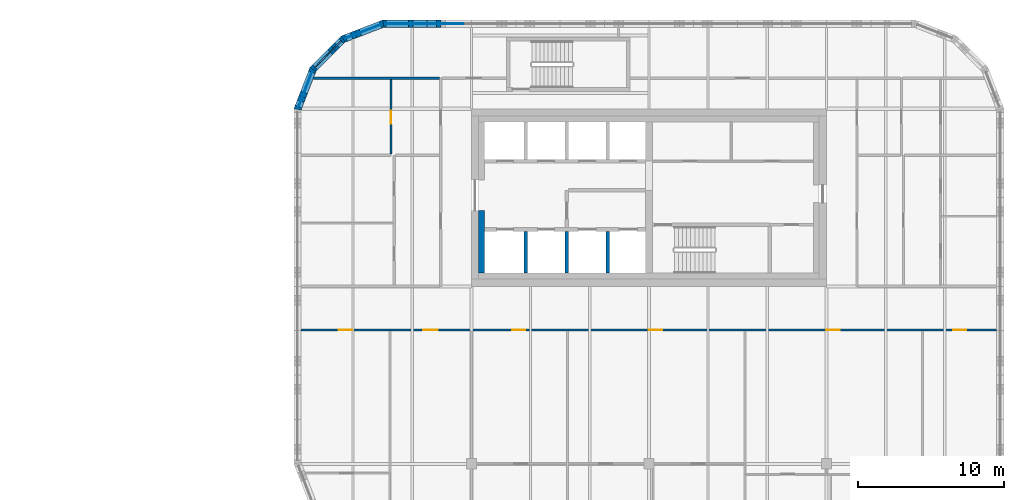
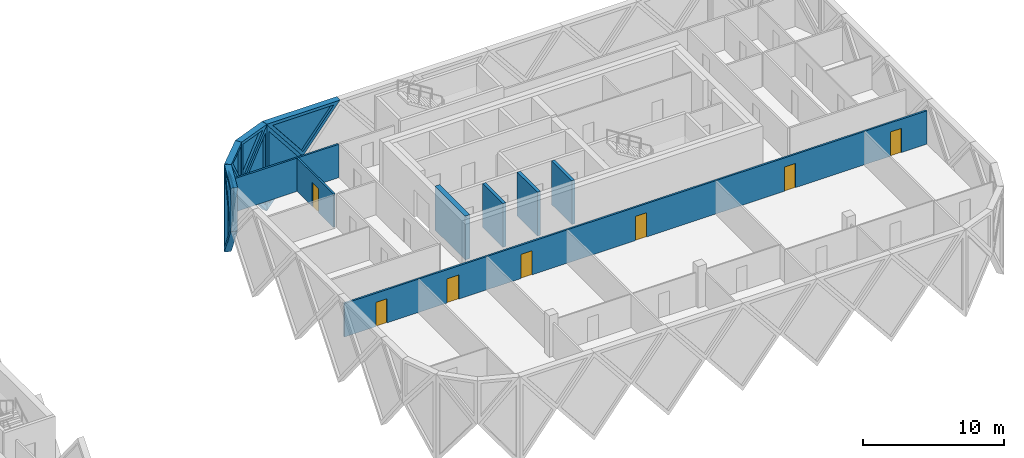
# One storey, part 14 of 21: 15 walls, 8 plates, 7 doors, 15 openings.
"""IFC4 building model written with IfcOpenShell, lengths in metres."""

from ifc_helpers import new_model, si_unit, direction, frame, frame_2d, origin, place, context, subcontext, project, spatial, polyline, rectangle, outline, extrude, faceted_brep, source, transform, mapped, material, layer, layer_set, type_object, element, fill, save


model = new_model("IFC4")

# Units and contexts
model_context = context("Model", 3, precision=1e-05, world=origin(), true_north=direction((0.0, 1.0)))
body_context = subcontext(model_context, "Body", "Model", "MODEL_VIEW")
ifc_project = project(units=[si_unit("LENGTHUNIT", "METRE"), si_unit("AREAUNIT", "SQUARE_METRE"), si_unit("VOLUMEUNIT", "CUBIC_METRE"), si_unit("PLANEANGLEUNIT", "RADIAN"), si_unit("MASSUNIT", "GRAM", prefix="KILO")], contexts=[model_context])

# Site, building, storey
site_placement = place(None, origin())
site = spatial("IfcSite", under=ifc_project, at=site_placement, CompositionType="ELEMENT")
building_placement = place(site_placement, origin())
building = spatial("IfcBuilding", under=site, at=building_placement, Name="Tessera Gate Towers", CompositionType="ELEMENT")
storey_placement = place(building_placement, frame((0.0, 0.0, 91.39990234375)))
storey = spatial("IfcBuildingStorey", under=building, at=storey_placement, Name="L22", CompositionType="ELEMENT", Elevation=91.39990234375)

# Walls
ifc_material_1 = material(Name="Concrete C40/50", Category="concrete")
ifc_layer_1 = layer(ifc_material_1, 0.25)
ifc_layer_set_1 = layer_set([ifc_layer_1], Name="CORE ENCLOSURE WALL 250")
wall_type_1 = type_object("IfcWallType", Name="CORE ENCLOSURE WALL 250", PredefinedType="SOLIDWALL", material=ifc_layer_set_1)
for number, where, z_axis, x_axis, name in (
    (1, (104.14990234375, 37.5, 0.0), (0.0, 0.0, 1.0), (0.0, 1.0, 0.0), "L22 shaft and stair enclosure wall"),
    (2, (101.324951171875, 37.5, 0.0), (0.0, 0.0, 1.0), (0.0, 1.0, 0.0), "L22 shaft and stair enclosure wall"),
    (3, (106.97509765625, 37.5, 0.0), (0.0, 0.0, 1.0), (0.0, 1.0, 0.0), "L22 shaft and stair enclosure wall"),
):
    element("IfcWall", number, at=place(storey_placement, frame(where, z_axis=z_axis, x_axis=x_axis)), inside=storey, type_object=wall_type_1, Name=name, PredefinedType="SOLIDWALL", context=body_context, shape_type="SweptSolid", body=[
        extrude(rectangle(XDim=2.875, YDim=0.25, at=frame_2d((1.4375, 0.0))), origin(), (0.0, 0.0, 1.0), 3.800048828125),
    ])
ifc_material_2 = material(Name="Concrete C50/60", Category="concrete")
ifc_layer_2 = layer(ifc_material_2, 0.39990234375)
ifc_layer_set_2 = layer_set([ifc_layer_2], Name="CORE WALL THICKENING 400")
wall_type_2 = type_object("IfcWallType", Name="CORE WALL THICKENING 400", PredefinedType="SOLIDWALL", material=ifc_layer_set_2)
wall_1_placement = place(storey_placement, frame((98.300048828125, 37.5, 0.0), z_axis=(0.0, 0.0, 1.0), x_axis=(0.0, 1.0, 0.0)))
element("IfcWall", 4, at=wall_1_placement, inside=storey, type_object=wall_type_2, Name="Core wall thickening W L22", PredefinedType="SOLIDWALL", context=body_context, shape_type="SweptSolid", body=[
    extrude(rectangle(XDim=4.300048828125, YDim=0.39990234375, at=frame_2d((2.14990234375, 0.0))), origin(), (0.0, 0.0, 1.0), 3.800048828125),
])

# Wall, openings, doors
ifc_material_3 = material(Name="Gypsum board on steel studs, mineral wool", Category="steel")
ifc_layer_3 = layer(ifc_material_3, 0.14990234375)
ifc_layer_set_3 = layer_set([ifc_layer_3], Name="CORRIDOR WALL 150")
wall_type_3 = type_object("IfcWallType", Name="CORRIDOR WALL 150", PredefinedType="PARTITIONING", material=ifc_layer_set_3)
wall_2_placement = place(storey_placement, frame((133.699951171875, 33.60009765625, 0.0), z_axis=(0.0, 0.0, 1.0), x_axis=(-1.0, 0.0, 0.0)))
wall_2 = element("IfcWall", 5, at=wall_2_placement, inside=storey, type_object=wall_type_3, Name="T2-L22-PW-021", PredefinedType="PARTITIONING", context=body_context, shape_type="SweptSolid", body=[
    extrude(rectangle(XDim=47.800048828125, YDim=0.14990234375, at=frame_2d((23.89990234375, 0.0))), origin(), (0.0, 0.0, 1.0), 2.89501953125),
])
shared_shape_1 = source(origin(), body_context, "Body", "SweptSolid", [
    extrude(rectangle(XDim=0.89990234375, YDim=2.10009765625, at=frame_2d((0.449951171875, 1.050048828125))), frame((0.0, 0.0849609375, 0.0), z_axis=(0.0, -1.0, 0.0), x_axis=(1.0, 0.0, 0.0)), (0.0, 0.0, 1.0), 0.169921875),
])
opening_1_placement = place(wall_2_placement, frame((2.09912109375, 0.0, 0.0)))
opening_1 = element("IfcOpeningElement", 6, at=opening_1_placement, cuts=wall_2, Name="Opening D890FD60-B09-01", PredefinedType="OPENING", context=body_context, shape_type="MappedRepresentation", body=[
    mapped(shared_shape_1, transform((0.0, 0.0, 0.0), scale=1.0)),
])
shared_shape_2 = source(origin(), body_context, "Body", "SweptSolid", [
    extrude(rectangle(XDim=1.0, YDim=2.10009765625, at=frame_2d((0.5, 1.050048828125))), frame((0.0, 0.0849609375, 0.0), z_axis=(0.0, -1.0, 0.0), x_axis=(1.0, 0.0, 0.0)), (0.0, 0.0, 1.0), 0.169921875),
])
opening_2_placement = place(wall_2_placement, frame((38.39892578125, 0.0, 0.0)))
opening_2 = element("IfcOpeningElement", 7, at=opening_2_placement, cuts=wall_2, Name="Opening D2100FD60-B09-04", PredefinedType="OPENING", context=body_context, shape_type="MappedRepresentation", body=[
    mapped(shared_shape_2, transform((0.0, 0.0, 0.0), scale=1.0)),
])
opening_3_placement = place(wall_2_placement, frame((44.300048828125, 0.0, 0.0)))
opening_3 = element("IfcOpeningElement", 8, at=opening_3_placement, cuts=wall_2, Name="Opening D890FD60-B09-02", PredefinedType="OPENING", context=body_context, shape_type="MappedRepresentation", body=[
    mapped(shared_shape_1, transform((0.0, 0.0, 0.0), scale=1.0)),
])
opening_4_placement = place(wall_2_placement, frame((32.39990234375, 0.0, 0.0)))
opening_4 = element("IfcOpeningElement", 9, at=opening_4_placement, cuts=wall_2, Name="Opening D890FD60-B09-03", PredefinedType="OPENING", context=body_context, shape_type="MappedRepresentation", body=[
    mapped(shared_shape_1, transform((0.0, 0.0, 0.0), scale=1.0)),
])
opening_5_placement = place(wall_2_placement, frame((10.799072265625, 0.0, 0.0)))
opening_5 = element("IfcOpeningElement", 10, at=opening_5_placement, cuts=wall_2, Name="Opening D890FD60-B09-04", PredefinedType="OPENING", context=body_context, shape_type="MappedRepresentation", body=[
    mapped(shared_shape_1, transform((0.0, 0.0, 0.0), scale=1.0)),
])
opening_6_placement = place(wall_2_placement, frame((23.0, 0.0, 0.0)))
opening_6 = element("IfcOpeningElement", 11, at=opening_6_placement, cuts=wall_2, Name="Opening D890FD60-B09-05", PredefinedType="OPENING", context=body_context, shape_type="MappedRepresentation", body=[
    mapped(shared_shape_1, transform((0.0, 0.0, 0.0), scale=1.0)),
])
ifc_material_4 = material(Name="Timber door leaf in steel frame", Category="steel")
door_type_1 = type_object("IfcDoorType", Name="CORRIDOR DOOR 900 FD60", OperationType="NOTDEFINED", PredefinedType="DOOR", material=ifc_material_4)
shared_shape_3 = source(origin(), body_context, "Body", "SweptSolid", [
    extrude(rectangle(XDim=0.89990234375, YDim=2.10009765625, at=frame_2d((0.449951171875, 1.050048828125))), frame((0.0, 0.02490234375, 0.0), z_axis=(0.0, -1.0, 0.0), x_axis=(1.0, 0.0, 0.0)), (0.0, 0.0, 1.0), 0.050048828125),
])
door_1_placement = place(opening_1_placement, origin())
door_1 = element("IfcDoor", 12, at=door_1_placement, inside=storey, type_object=door_type_1, Name="T2-L22-PD-007", OperationType="SINGLE_SWING_RIGHT", OverallHeight=2.10009765625, OverallWidth=0.89990234375, PredefinedType="DOOR", context=body_context, shape_type="MappedRepresentation", body=[
    mapped(shared_shape_3, transform((0.0, 0.0, 0.0), scale=1.0)),
])
fill(opening_1, door_1)
door_2_placement = place(opening_3_placement, origin())
door_2 = element("IfcDoor", 13, at=door_2_placement, inside=storey, type_object=door_type_1, Name="T2-L22-PD-017", OperationType="SINGLE_SWING_RIGHT", OverallHeight=2.10009765625, OverallWidth=0.89990234375, PredefinedType="DOOR", context=body_context, shape_type="MappedRepresentation", body=[
    mapped(shared_shape_3, transform((0.0, 0.0, 0.0), scale=1.0)),
])
fill(opening_3, door_2)
door_3_placement = place(opening_4_placement, origin())
door_3 = element("IfcDoor", 14, at=door_3_placement, inside=storey, type_object=door_type_1, Name="T2-L22-PD-021", OperationType="SINGLE_SWING_RIGHT", OverallHeight=2.10009765625, OverallWidth=0.89990234375, PredefinedType="DOOR", context=body_context, shape_type="MappedRepresentation", body=[
    mapped(shared_shape_3, transform((0.0, 0.0, 0.0), scale=1.0)),
])
fill(opening_4, door_3)
door_4_placement = place(opening_5_placement, origin())
door_4 = element("IfcDoor", 15, at=door_4_placement, inside=storey, type_object=door_type_1, Name="T2-L22-PD-025", OperationType="SINGLE_SWING_RIGHT", OverallHeight=2.10009765625, OverallWidth=0.89990234375, PredefinedType="DOOR", context=body_context, shape_type="MappedRepresentation", body=[
    mapped(shared_shape_3, transform((0.0, 0.0, 0.0), scale=1.0)),
])
fill(opening_5, door_4)
door_5_placement = place(opening_6_placement, origin())
door_5 = element("IfcDoor", 16, at=door_5_placement, inside=storey, type_object=door_type_1, Name="T2-L22-PD-026", OperationType="SINGLE_SWING_RIGHT", OverallHeight=2.10009765625, OverallWidth=0.89990234375, PredefinedType="DOOR", context=body_context, shape_type="MappedRepresentation", body=[
    mapped(shared_shape_3, transform((0.0, 0.0, 0.0), scale=1.0)),
])
fill(opening_6, door_5)
ifc_material_5 = material(Name="Timber door leaf in steel frame", Category="steel")
door_type_2 = type_object("IfcDoorType", Name="TENANCY ENTRANCE DOOR 1000 FD60", OperationType="NOTDEFINED", PredefinedType="DOOR", material=ifc_material_5)
shared_shape_4 = source(origin(), body_context, "Body", "SweptSolid", [
    extrude(rectangle(XDim=1.0, YDim=2.10009765625, at=frame_2d((0.5, 1.050048828125))), frame((0.0, 0.02490234375, 0.0), z_axis=(0.0, -1.0, 0.0), x_axis=(1.0, 0.0, 0.0)), (0.0, 0.0, 1.0), 0.050048828125),
])
door_6_placement = place(opening_2_placement, origin())
door_6 = element("IfcDoor", 17, at=door_6_placement, inside=storey, type_object=door_type_2, Name="T2-L22-PD-014", OperationType="SINGLE_SWING_RIGHT", OverallHeight=2.10009765625, OverallWidth=1.0, PredefinedType="DOOR", context=body_context, shape_type="MappedRepresentation", body=[
    mapped(shared_shape_4, transform((0.0, 0.0, 0.0), scale=1.0)),
])
fill(opening_2, door_6)

# Wall, opening, door
ifc_material_6 = material(Name="Gypsum board on steel studs, mineral wool", Category="steel")
ifc_layer_4 = layer(ifc_material_6, 0.14990234375)
ifc_layer_set_4 = layer_set([ifc_layer_4], Name="TENANCY WALL 150")
wall_type_4 = type_object("IfcWallType", Name="TENANCY WALL 150", PredefinedType="PARTITIONING", material=ifc_layer_set_4)
wall_3_placement = place(storey_placement, frame((92.074951171875, 45.676025390625, 0.0), z_axis=(0.0, 0.0, 1.0), x_axis=(0.0, 1.0, 0.0)))
wall_3 = element("IfcWall", 18, at=wall_3_placement, inside=storey, type_object=wall_type_4, Name="T2-L22-PW-036", PredefinedType="PARTITIONING", context=body_context, shape_type="SweptSolid", body=[
    extrude(rectangle(XDim=5.14794921875, YDim=0.14990234375, at=frame_2d((2.573974609375, 0.0))), origin(), (0.0, 0.0, 1.0), 2.89501953125),
])
opening_7_placement = place(wall_3_placement, frame((2.10009765625, 0.0, 0.0)))
opening_7 = element("IfcOpeningElement", 19, at=opening_7_placement, cuts=wall_3, Name="Opening D190-B09-06", PredefinedType="OPENING", context=body_context, shape_type="MappedRepresentation", body=[
    mapped(shared_shape_1, transform((0.0, 0.0, 0.0), scale=1.0)),
])
ifc_material_7 = material(Name="Timber door leaf in steel frame", Category="steel")
door_type_3 = type_object("IfcDoorType", Name="INTERNAL DOOR 900 NOT RATED", OperationType="NOTDEFINED", PredefinedType="DOOR", material=ifc_material_7)
door_7_placement = place(opening_7_placement, origin())
door_7 = element("IfcDoor", 20, at=door_7_placement, inside=storey, type_object=door_type_3, Name="T2-L22-PD-008", OperationType="SINGLE_SWING_LEFT", OverallHeight=2.10009765625, OverallWidth=0.89990234375, PredefinedType="DOOR", context=body_context, shape_type="MappedRepresentation", body=[
    mapped(shared_shape_3, transform((0.0, 0.0, 0.0), scale=1.0)),
])
fill(opening_7, door_7)

# Wall
wall_4_placement = place(storey_placement, frame((86.74609375, 50.89990234375, 0.0), z_axis=(0.0, 0.0, 1.0), x_axis=(1.0, 0.0, 0.0)))
element("IfcWall", 21, at=wall_4_placement, inside=storey, type_object=wall_type_4, Name="T2-L22-PW-038", PredefinedType="PARTITIONING", context=body_context, shape_type="SweptSolid", body=[
    extrude(rectangle(XDim=8.677978515625, YDim=0.14990234375, at=frame_2d((4.3388671875, 0.0))), origin(), (0.0, 0.0, 1.0), 2.89501953125),
])

# Wall, opening, plate
ifc_material_8 = material(Name="Precast concrete C60/75 white", Category="concrete")
ifc_layer_5 = layer(ifc_material_8, 0.5)
ifc_layer_set_5 = layer_set([ifc_layer_5], Name="TS3 corner tessera")
wall_type_5 = type_object("IfcWallType", Name="TS3 corner tessera", PredefinedType="SOLIDWALL", material=ifc_layer_set_5)
shared_shape_5 = source(origin(), body_context, "Body", "Brep", [
    faceted_brep([(3.00341796875, -0.25, 0.0), (3.050048828125, -0.25, 0.06005859375), (3.050048828125, -0.25, 7.539794921875), (3.00341796875, -0.25, 7.599853515625), (0.0, -0.25, 3.7998046875), (0.0, 0.25, 3.7998046875), (2.956787109375, 0.25, 7.541015625), (2.956787109375, 0.25, 0.058837890625), (3.00341796875, 0.000244140625, 0.0), (3.00341796875, 0.000244140625, 7.599853515625)], [[[0, 1, 2, 3, 4]], [[5, 6, 7]], [[1, 0, 8]], [[9, 3, 2]], [[6, 5, 4, 3, 9]], [[5, 7, 8, 0, 4]], [[1, 8, 7, 6, 9, 2]]]),
])
wall_5_placement = place(storey_placement, frame((94.550048828125, 54.64990234375, -3.7998046875), z_axis=(0.0, 0.0, 1.0), x_axis=(-1.0, 0.0, 0.0)))
wall_5 = element("IfcWall", 22, at=wall_5_placement, inside=storey, type_object=wall_type_5, Name="Precast corner tessera T2 TS3-0331", PredefinedType="SOLIDWALL", context=body_context, shape_type="MappedRepresentation", body=[
    mapped(shared_shape_5, transform((0.0, 0.0, 0.0), scale=1.0)),
])
shared_shape_6 = source(origin(), body_context, "Body", "SweptSolid", [
    extrude(outline(polyline([(2.803466796875, 6.943603515625), (0.318603515625, 3.7998046875), (2.803466796875, 0.656005859375), (2.803466796875, 6.943603515625)])), frame((0.0, 0.260009765625, 0.0), z_axis=(0.0, -1.0, 0.0), x_axis=(1.0, 0.0, 0.0)), (0.0, 0.0, 1.0), 0.52001953125),
])
opening_8_placement = place(wall_5_placement, origin())
opening_8 = element("IfcOpeningElement", 23, at=opening_8_placement, cuts=wall_5, Name="Opening T2-PL2-0534", PredefinedType="OPENING", context=body_context, shape_type="MappedRepresentation", body=[
    mapped(shared_shape_6, transform((0.0, 0.0, 0.0), scale=1.0)),
])
ifc_material_9 = material(Name="Low-e laminated glass", Category="glass")
ifc_layer_6 = layer(ifc_material_9, 0.06005859375)
ifc_layer_set_6 = layer_set([ifc_layer_6], Name="PL2 rhombic pane")
plate_type_1 = type_object("IfcPlateType", Name="PL2 rhombic pane", PredefinedType="SHEET", material=ifc_layer_set_6)
shared_shape_7 = source(origin(), body_context, "Body", "SweptSolid", [
    extrude(outline(polyline([(2.803466796875, 6.943603515625), (0.318603515625, 3.7998046875), (2.803466796875, 0.656005859375), (2.803466796875, 6.943603515625)])), frame((0.0, 0.030029296875, 0.0), z_axis=(0.0, -1.0, 0.0), x_axis=(1.0, 0.0, 0.0)), (0.0, 0.0, 1.0), 0.06005859375),
])
plate_1_placement = place(opening_8_placement, origin())
plate_1 = element("IfcPlate", 24, at=plate_1_placement, inside=storey, type_object=plate_type_1, Name="Glass pane T2 PL2-0534", PredefinedType="SHEET", context=body_context, shape_type="MappedRepresentation", body=[
    mapped(shared_shape_7, transform((0.0, 0.0, 0.0), scale=1.0)),
])
fill(opening_8, plate_1)

shared_shape_8 = source(origin(), body_context, "Body", "Brep", [
    faceted_brep([(2.944091796875, -0.25, 0.0), (2.9970703125, -0.25, 0.068115234375), (2.9970703125, -0.25, 7.53173828125), (2.944091796875, -0.25, 7.599853515625), (0.0, -0.25, 3.7998046875), (0.052978515625, 0.25, 3.8681640625), (2.89111328125, 0.25, 7.53173828125), (2.89111328125, 0.25, 0.068115234375), (0.052978515625, 0.25, 3.7314453125), (2.944091796875, 0.000244140625, 0.0), (2.944091796875, 0.000244140625, 7.599853515625), (0.0, 0.0, 3.7998046875)], [[[0, 1, 2, 3, 4]], [[5, 6, 7, 8]], [[1, 0, 9]], [[10, 3, 2]], [[6, 5, 11, 4, 3, 10]], [[8, 7, 9, 0, 4, 11]], [[8, 11, 5]], [[1, 9, 7, 6, 10, 2]]]),
])
wall_6_placement = place(storey_placement, frame((88.793701171875, 53.588134765625, -3.7998046875), z_axis=(0.0, 0.0, 1.0), x_axis=(-0.707066050402, -0.707147509625, 0.0)))
wall_6 = element("IfcWall", 25, at=wall_6_placement, inside=storey, type_object=wall_type_5, Name="Precast corner tessera T2 TS3-0333", PredefinedType="SOLIDWALL", context=body_context, shape_type="MappedRepresentation", body=[
    mapped(shared_shape_8, transform((0.0, 0.0, 0.0), scale=1.0)),
])
shared_shape_9 = source(origin(), body_context, "Body", "SweptSolid", [
    extrude(outline(polyline([(2.744140625, 6.93359375), (0.316162109375, 3.7998046875), (2.744140625, 0.666259765625), (2.744140625, 6.93359375)])), frame((0.0, 0.260009765625, 0.0), z_axis=(0.0, -1.0, 0.0), x_axis=(1.0, 0.0, 0.0)), (0.0, 0.0, 1.0), 0.52001953125),
])
opening_9_placement = place(wall_6_placement, origin())
opening_9 = element("IfcOpeningElement", 26, at=opening_9_placement, cuts=wall_6, Name="Opening T2-PL2-0536", PredefinedType="OPENING", context=body_context, shape_type="MappedRepresentation", body=[
    mapped(shared_shape_9, transform((0.0, 0.0, 0.0), scale=1.0)),
])
shared_shape_10 = source(origin(), body_context, "Body", "SweptSolid", [
    extrude(outline(polyline([(2.744140625, 6.93359375), (0.316162109375, 3.7998046875), (2.744140625, 0.666259765625), (2.744140625, 6.93359375)])), frame((0.0, 0.030029296875, 0.0), z_axis=(0.0, -1.0, 0.0), x_axis=(1.0, 0.0, 0.0)), (0.0, 0.0, 1.0), 0.06005859375),
])
plate_2_placement = place(opening_9_placement, origin())
plate_2 = element("IfcPlate", 27, at=plate_2_placement, inside=storey, type_object=plate_type_1, Name="Glass pane T2 PL2-0536", PredefinedType="SHEET", context=body_context, shape_type="MappedRepresentation", body=[
    mapped(shared_shape_10, transform((0.0, 0.0, 0.0), scale=1.0)),
])
fill(opening_9, plate_2)

shared_shape_11 = source(origin(), body_context, "Body", "Brep", [
    faceted_brep([(0.052978515625, -0.25, 0.0), (3.00341796875, -0.25, 3.7998046875), (0.052978515625, -0.25, 7.599853515625), (0.0, -0.25, 7.531494140625), (0.0, -0.25, 0.068359375), (0.10595703125, 0.25, 7.53173828125), (2.95703125, 0.25, 3.859619140625), (2.95703125, 0.25, 3.739990234375), (0.10595703125, 0.25, 0.068115234375), (3.00341796875, 0.00048828125, 3.7998046875), (0.052978515625, 0.0, 0.0), (0.052978515625, 0.0, 7.599853515625)], [[[0, 1, 2, 3, 4]], [[5, 6, 7, 8]], [[8, 7, 9, 1, 0, 10]], [[6, 5, 11, 2, 1, 9]], [[3, 2, 11]], [[10, 0, 4]], [[8, 10, 4, 3, 11, 5]], [[9, 7, 6]]]),
])
wall_7_placement = place(storey_placement, frame((86.73095703125, 51.5556640625, -3.7998046875), z_axis=(0.0, 0.0, 1.0), x_axis=(-0.359855894603, -0.933007896601, 0.0)))
wall_7 = element("IfcWall", 28, at=wall_7_placement, inside=storey, type_object=wall_type_5, Name="Precast corner tessera T2 TS3-0334", PredefinedType="SOLIDWALL", context=body_context, shape_type="MappedRepresentation", body=[
    mapped(shared_shape_11, transform((0.0, 0.0, 0.0), scale=1.0)),
])
shared_shape_12 = source(origin(), body_context, "Body", "SweptSolid", [
    extrude(outline(polyline([(0.2529296875, 0.6650390625), (2.68701171875, 3.7998046875), (0.2529296875, 6.9345703125), (0.2529296875, 0.6650390625)])), frame((0.0, 0.260009765625, 0.0), z_axis=(0.0, -1.0, 0.0), x_axis=(1.0, 0.0, 0.0)), (0.0, 0.0, 1.0), 0.52001953125),
])
opening_10_placement = place(wall_7_placement, origin())
opening_10 = element("IfcOpeningElement", 29, at=opening_10_placement, cuts=wall_7, Name="Opening T2-PL2-0537", PredefinedType="OPENING", context=body_context, shape_type="MappedRepresentation", body=[
    mapped(shared_shape_12, transform((0.0, 0.0, 0.0), scale=1.0)),
])
shared_shape_13 = source(origin(), body_context, "Body", "SweptSolid", [
    extrude(outline(polyline([(0.2529296875, 0.6650390625), (2.68701171875, 3.7998046875), (0.2529296875, 6.9345703125), (0.2529296875, 0.6650390625)])), frame((0.0, 0.030029296875, 0.0), z_axis=(0.0, -1.0, 0.0), x_axis=(1.0, 0.0, 0.0)), (0.0, 0.0, 1.0), 0.06005859375),
])
plate_3_placement = place(opening_10_placement, origin())
plate_3 = element("IfcPlate", 30, at=plate_3_placement, inside=storey, type_object=plate_type_1, Name="Glass pane T2 PL2-0537", PredefinedType="SHEET", context=body_context, shape_type="MappedRepresentation", body=[
    mapped(shared_shape_13, transform((0.0, 0.0, 0.0), scale=1.0)),
])
fill(opening_10, plate_3)

shared_shape_14 = source(origin(), body_context, "Body", "Brep", [
    faceted_brep([(2.950439453125, -0.25, 0.0), (2.9970703125, -0.25, 0.05908203125), (2.9970703125, -0.25, 3.800048828125), (0.0, -0.25, 3.800048828125), (0.052978515625, 0.25, 3.800048828125), (2.904052734375, 0.25, 3.800048828125), (2.904052734375, 0.25, 0.059814453125), (0.052978515625, 0.25, 3.73193359375), (2.950439453125, 0.00048828125, 0.0), (0.0, 0.0, 3.800048828125)], [[[0, 1, 2, 3]], [[4, 5, 6, 7]], [[1, 0, 8]], [[5, 4, 9, 3, 2]], [[7, 6, 8, 0, 3, 9]], [[7, 9, 4]], [[1, 8, 6, 5, 2]]]),
])
wall_8_placement = place(storey_placement, frame((86.7119140625, 51.50634765625, 0.0), z_axis=(0.0, 0.0, 1.0), x_axis=(-0.359874094142, -0.933000876937, 0.0)))
wall_8 = element("IfcWall", 31, at=wall_8_placement, inside=storey, type_object=wall_type_5, Name="Precast corner tessera T2 TS3-0347", PredefinedType="SOLIDWALL", context=body_context, shape_type="MappedRepresentation", body=[
    mapped(shared_shape_14, transform((0.0, 0.0, 0.0), scale=1.0)),
])
shared_shape_15 = source(origin(), body_context, "Body", "SweptSolid", [
    extrude(outline(polyline([(2.75048828125, 3.550048828125), (0.5107421875, 3.550048828125), (2.75048828125, 0.665283203125), (2.75048828125, 3.550048828125)])), frame((0.0, 0.260009765625, 0.0), z_axis=(0.0, -1.0, 0.0), x_axis=(1.0, 0.0, 0.0)), (0.0, 0.0, 1.0), 0.52001953125),
])
opening_11_placement = place(wall_8_placement, origin())
opening_11 = element("IfcOpeningElement", 32, at=opening_11_placement, cuts=wall_8, Name="Opening T2-PL1-0195", PredefinedType="OPENING", context=body_context, shape_type="MappedRepresentation", body=[
    mapped(shared_shape_15, transform((0.0, 0.0, 0.0), scale=1.0)),
])
ifc_material_10 = material(Name="Low-e laminated glass", Category="glass")
ifc_layer_7 = layer(ifc_material_10, 0.06005859375)
ifc_layer_set_7 = layer_set([ifc_layer_7], Name="PL1 triangular pane")
plate_type_2 = type_object("IfcPlateType", Name="PL1 triangular pane", PredefinedType="SHEET", material=ifc_layer_set_7)
shared_shape_16 = source(origin(), body_context, "Body", "SweptSolid", [
    extrude(outline(polyline([(2.75048828125, 3.550048828125), (0.5107421875, 3.550048828125), (2.75048828125, 0.665283203125), (2.75048828125, 3.550048828125)])), frame((0.0, 0.030029296875, 0.0), z_axis=(0.0, -1.0, 0.0), x_axis=(1.0, 0.0, 0.0)), (0.0, 0.0, 1.0), 0.06005859375),
])
plate_4_placement = place(opening_11_placement, origin())
plate_4 = element("IfcPlate", 33, at=plate_4_placement, inside=storey, type_object=plate_type_2, Name="Glass pane T2 PL1-0195", PredefinedType="SHEET", context=body_context, shape_type="MappedRepresentation", body=[
    mapped(shared_shape_16, transform((0.0, 0.0, 0.0), scale=1.0)),
])
fill(opening_11, plate_4)

ifc_material_11 = material(Name="Precast concrete C60/75 white", Category="concrete")
ifc_layer_8 = layer(ifc_material_11, 0.5)
ifc_layer_set_8 = layer_set([ifc_layer_8], Name="TS2 half tessera")
wall_type_6 = type_object("IfcWallType", Name="TS2 half tessera", PredefinedType="SOLIDWALL", material=ifc_layer_set_8)
shared_shape_17 = source(origin(), body_context, "Body", "Brep", [
    faceted_brep([(3.050048828125, -0.25, 0.0), (6.053466796875, -0.25, 3.800048828125), (0.0, -0.25, 3.800048828125), (0.0, 0.25, 3.800048828125), (6.0068359375, 0.25, 3.800048828125), (6.0068359375, 0.25, 3.7412109375), (3.050048828125, 0.25, 0.0), (6.053466796875, 0.0, 3.800048828125)], [[[0, 1, 2]], [[3, 4, 5, 6]], [[6, 5, 7, 1, 0]], [[4, 3, 2, 1, 7]], [[3, 6, 0, 2]], [[5, 4, 7]]]),
])
wall_9_placement = place(storey_placement, frame((97.60009765625, 54.64990234375, 0.0), z_axis=(0.0, 0.0, 1.0), x_axis=(-1.0, 0.0, 0.0)))
wall_9 = element("IfcWall", 34, at=wall_9_placement, inside=storey, type_object=wall_type_6, Name="Precast half tessera T2 TS2-0104", PredefinedType="SOLIDWALL", context=body_context, shape_type="MappedRepresentation", body=[
    mapped(shared_shape_17, transform((0.0, 0.0, 0.0), scale=1.0)),
])
shared_shape_18 = source(origin(), body_context, "Body", "SweptSolid", [
    extrude(outline(polyline([(3.048583984375, 0.4013671875), (5.537109375, 3.550048828125), (0.521240234375, 3.550048828125), (3.048583984375, 0.4013671875)])), frame((0.0, 0.260009765625, 0.0), z_axis=(0.0, -1.0, 0.0), x_axis=(1.0, 0.0, 0.0)), (0.0, 0.0, 1.0), 0.52001953125),
])
opening_12_placement = place(wall_9_placement, origin())
opening_12 = element("IfcOpeningElement", 35, at=opening_12_placement, cuts=wall_9, Name="Opening T2-PL1-0192", PredefinedType="OPENING", context=body_context, shape_type="MappedRepresentation", body=[
    mapped(shared_shape_18, transform((0.0, 0.0, 0.0), scale=1.0)),
])
shared_shape_19 = source(origin(), body_context, "Body", "SweptSolid", [
    extrude(outline(polyline([(3.048583984375, 0.4013671875), (5.537109375, 3.550048828125), (0.521240234375, 3.550048828125), (3.048583984375, 0.4013671875)])), frame((0.0, 0.030029296875, 0.0), z_axis=(0.0, -1.0, 0.0), x_axis=(1.0, 0.0, 0.0)), (0.0, 0.0, 1.0), 0.06005859375),
])
plate_5_placement = place(opening_12_placement, origin())
plate_5 = element("IfcPlate", 36, at=plate_5_placement, inside=storey, type_object=plate_type_2, Name="Glass pane T2 PL1-0192", PredefinedType="SHEET", context=body_context, shape_type="MappedRepresentation", body=[
    mapped(shared_shape_19, transform((0.0, 0.0, 0.0), scale=1.0)),
])
fill(opening_12, plate_5)

shared_shape_20 = source(origin(), body_context, "Body", "Brep", [
    faceted_brep([(0.052978515625, -0.25, 0.0), (2.9970703125, -0.25, 3.800048828125), (0.0, -0.25, 3.800048828125), (0.0, -0.25, 0.068115234375), (0.10595703125, 0.25, 3.800048828125), (2.944091796875, 0.25, 3.800048828125), (2.944091796875, 0.25, 3.73193359375), (0.10595703125, 0.25, 0.068359375), (2.9970703125, 0.000244140625, 3.800048828125), (0.052978515625, 0.0, 0.0)], [[[0, 1, 2, 3]], [[4, 5, 6, 7]], [[7, 6, 8, 1, 0, 9]], [[5, 4, 2, 1, 8]], [[9, 0, 3]], [[7, 9, 3, 2, 4]], [[6, 5, 8]]]),
])
wall_10_placement = place(storey_placement, frame((88.831298828125, 53.62548828125, 0.0), z_axis=(0.0, 0.0, 1.0), x_axis=(-0.707147509625, -0.707066050402, 0.0)))
wall_10 = element("IfcWall", 37, at=wall_10_placement, inside=storey, type_object=wall_type_5, Name="Precast corner tessera T2 TS3-0346", PredefinedType="SOLIDWALL", context=body_context, shape_type="MappedRepresentation", body=[
    mapped(shared_shape_20, transform((0.0, 0.0, 0.0), scale=1.0)),
])
shared_shape_21 = source(origin(), body_context, "Body", "SweptSolid", [
    extrude(outline(polyline([(0.2529296875, 0.66650390625), (2.487060546875, 3.550048828125), (0.2529296875, 3.550048828125), (0.2529296875, 0.66650390625)])), frame((0.0, 0.260009765625, 0.0), z_axis=(0.0, -1.0, 0.0), x_axis=(1.0, 0.0, 0.0)), (0.0, 0.0, 1.0), 0.52001953125),
])
opening_13_placement = place(wall_10_placement, origin())
opening_13 = element("IfcOpeningElement", 38, at=opening_13_placement, cuts=wall_10, Name="Opening T2-PL1-0194", PredefinedType="OPENING", context=body_context, shape_type="MappedRepresentation", body=[
    mapped(shared_shape_21, transform((0.0, 0.0, 0.0), scale=1.0)),
])
shared_shape_22 = source(origin(), body_context, "Body", "SweptSolid", [
    extrude(outline(polyline([(0.2529296875, 0.66650390625), (2.487060546875, 3.550048828125), (0.2529296875, 3.550048828125), (0.2529296875, 0.66650390625)])), frame((0.0, 0.030029296875, 0.0), z_axis=(0.0, -1.0, 0.0), x_axis=(1.0, 0.0, 0.0)), (0.0, 0.0, 1.0), 0.06005859375),
])
plate_6_placement = place(opening_13_placement, origin())
plate_6 = element("IfcPlate", 39, at=plate_6_placement, inside=storey, type_object=plate_type_2, Name="Glass pane T2 PL1-0194", PredefinedType="SHEET", context=body_context, shape_type="MappedRepresentation", body=[
    mapped(shared_shape_22, transform((0.0, 0.0, 0.0), scale=1.0)),
])
fill(opening_13, plate_6)

shared_shape_23 = source(origin(), body_context, "Body", "Brep", [
    faceted_brep([(2.950439453125, -0.25, 0.0), (3.00341796875, -0.25, 0.068359375), (3.00341796875, -0.25, 3.800048828125), (0.0, -0.25, 3.800048828125), (0.046630859375, 0.25, 3.800048828125), (2.897705078125, 0.25, 3.800048828125), (2.897705078125, 0.25, 0.068115234375), (0.046630859375, 0.25, 3.739990234375), (2.950439453125, 0.00048828125, 0.0), (0.0, 0.0, 3.800048828125)], [[[0, 1, 2, 3]], [[4, 5, 6, 7]], [[1, 0, 8]], [[5, 4, 9, 3, 2]], [[7, 6, 8, 0, 3, 9]], [[7, 9, 4]], [[1, 8, 6, 5, 2]]]),
])
wall_11_placement = place(storey_placement, frame((91.546630859375, 54.64990234375, 0.0), z_axis=(0.0, 0.0, 1.0), x_axis=(-0.933007896601, -0.359855894603, 0.0)))
wall_11 = element("IfcWall", 40, at=wall_11_placement, inside=storey, type_object=wall_type_5, Name="Precast corner tessera T2 TS3-0345", PredefinedType="SOLIDWALL", context=body_context, shape_type="MappedRepresentation", body=[
    mapped(shared_shape_23, transform((0.0, 0.0, 0.0), scale=1.0)),
])
opening_14_placement = place(wall_11_placement, origin())
opening_14 = element("IfcOpeningElement", 41, at=opening_14_placement, cuts=wall_11, Name="Opening T2-PL1-0193", PredefinedType="OPENING", context=body_context, shape_type="MappedRepresentation", body=[
    mapped(shared_shape_15, transform((0.0, 0.0, 0.0), scale=1.0)),
])
plate_7_placement = place(opening_14_placement, origin())
plate_7 = element("IfcPlate", 42, at=plate_7_placement, inside=storey, type_object=plate_type_2, Name="Glass pane T2 PL1-0193", PredefinedType="SHEET", context=body_context, shape_type="MappedRepresentation", body=[
    mapped(shared_shape_16, transform((0.0, 0.0, 0.0), scale=1.0)),
])
fill(opening_14, plate_7)

shared_shape_24 = source(origin(), body_context, "Body", "Brep", [
    faceted_brep([(0.046630859375, -0.25, 0.0), (2.9970703125, -0.25, 3.7998046875), (0.046630859375, -0.25, 7.599853515625), (0.0, -0.25, 7.541015625), (0.0, -0.25, 0.058837890625), (0.09326171875, 0.25, 7.539794921875), (2.9443359375, 0.25, 3.867919921875), (2.9443359375, 0.25, 3.731689453125), (0.09326171875, 0.25, 0.06005859375), (2.9970703125, 0.00048828125, 3.7998046875), (0.046630859375, 0.0, 0.0), (0.046630859375, 0.0, 7.599853515625)], [[[0, 1, 2, 3, 4]], [[5, 6, 7, 8]], [[8, 7, 9, 1, 0, 10]], [[6, 5, 11, 2, 1, 9]], [[3, 2, 11]], [[10, 0, 4]], [[8, 10, 4, 3, 11, 5]], [[9, 7, 6]]]),
])
wall_12_placement = place(storey_placement, frame((91.590087890625, 54.666748046875, -3.7998046875), z_axis=(0.0, 0.0, 1.0), x_axis=(-0.933000876937, -0.359874094142, 0.0)))
wall_12 = element("IfcWall", 43, at=wall_12_placement, inside=storey, type_object=wall_type_5, Name="Precast corner tessera T2 TS3-0332", PredefinedType="SOLIDWALL", context=body_context, shape_type="MappedRepresentation", body=[
    mapped(shared_shape_24, transform((0.0, 0.0, 0.0), scale=1.0)),
])
shared_shape_25 = source(origin(), body_context, "Body", "SweptSolid", [
    extrude(outline(polyline([(0.24658203125, 0.6650390625), (2.6806640625, 3.7998046875), (0.24658203125, 6.9345703125), (0.24658203125, 0.6650390625)])), frame((0.0, 0.260009765625, 0.0), z_axis=(0.0, -1.0, 0.0), x_axis=(1.0, 0.0, 0.0)), (0.0, 0.0, 1.0), 0.52001953125),
])
opening_15_placement = place(wall_12_placement, origin())
opening_15 = element("IfcOpeningElement", 44, at=opening_15_placement, cuts=wall_12, Name="Opening T2-PL2-0535", PredefinedType="OPENING", context=body_context, shape_type="MappedRepresentation", body=[
    mapped(shared_shape_25, transform((0.0, 0.0, 0.0), scale=1.0)),
])
shared_shape_26 = source(origin(), body_context, "Body", "SweptSolid", [
    extrude(outline(polyline([(0.24658203125, 0.6650390625), (2.6806640625, 3.7998046875), (0.24658203125, 6.9345703125), (0.24658203125, 0.6650390625)])), frame((0.0, 0.030029296875, 0.0), z_axis=(0.0, -1.0, 0.0), x_axis=(1.0, 0.0, 0.0)), (0.0, 0.0, 1.0), 0.06005859375),
])
plate_8_placement = place(opening_15_placement, origin())
plate_8 = element("IfcPlate", 45, at=plate_8_placement, inside=storey, type_object=plate_type_1, Name="Glass pane T2 PL2-0535", PredefinedType="SHEET", context=body_context, shape_type="MappedRepresentation", body=[
    mapped(shared_shape_26, transform((0.0, 0.0, 0.0), scale=1.0)),
])
fill(opening_15, plate_8)

save(model, "model.ifc")
